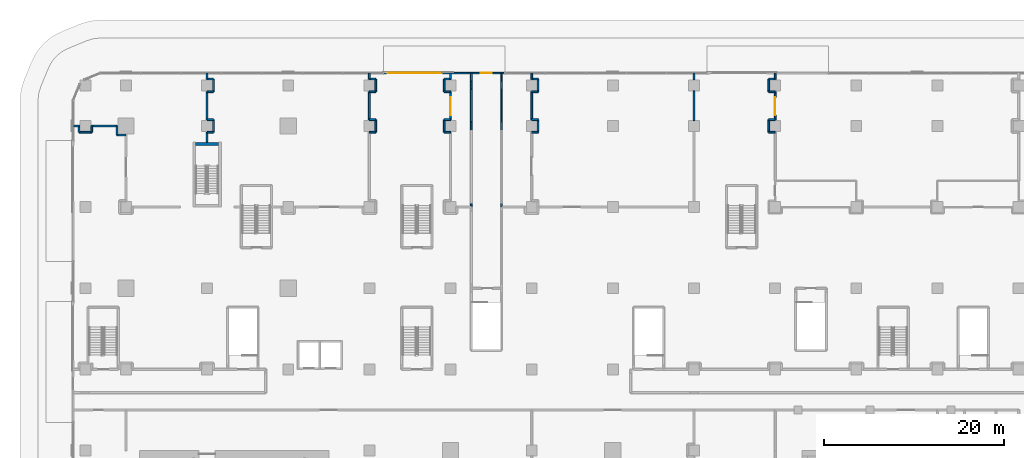
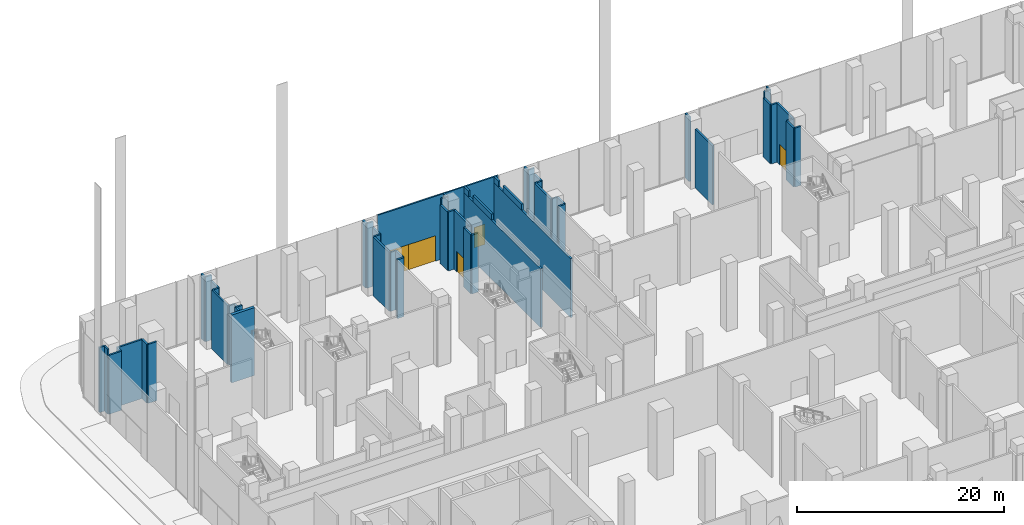
# One storey, part 26 of 42: 58 walls, 5 doors, 5 openings.
"""IFC4 building model written with IfcOpenShell, lengths in metres."""

from ifc_helpers import new_model, si_unit, direction, frame, frame_2d, origin, place, context, subcontext, project, spatial, rectangle, extrude, material, layer, layer_set, type_object, element, fill, save


model = new_model("IFC4")

# Units and contexts
model_context = context("Model", 3, precision=1e-05, world=origin(), true_north=direction((0.0, 1.0)))
body_context = subcontext(model_context, "Body", "Model", "MODEL_VIEW")
ifc_project = project(units=[si_unit("LENGTHUNIT", "METRE"), si_unit("AREAUNIT", "SQUARE_METRE"), si_unit("VOLUMEUNIT", "CUBIC_METRE"), si_unit("PLANEANGLEUNIT", "RADIAN"), si_unit("MASSUNIT", "GRAM", prefix="KILO")], contexts=[model_context])

# Site, building, storey
site_placement = place(None, origin())
site = spatial("IfcSite", under=ifc_project, at=site_placement, CompositionType="ELEMENT")
building_placement = place(site_placement, origin())
building = spatial("IfcBuilding", under=site, at=building_placement, Name="Plateau Cross Towers", CompositionType="ELEMENT")
storey_placement = place(building_placement, origin())
storey = spatial("IfcBuildingStorey", under=building, at=storey_placement, Name="L00", CompositionType="ELEMENT", Elevation=0.0)

# Wall, openings, doors
ifc_material_1 = material(Name="Aluminium framed glazing", Category="aluminium")
ifc_layer_1 = layer(ifc_material_1, 0.159912109375)
ifc_layer_set_1 = layer_set([ifc_layer_1], Name="Aluminium framed glazing")
wall_type_1 = type_object("IfcWallType", Name="Entrance screen wall 160", PredefinedType="STANDARD", material=ifc_layer_set_1)
wall_1_placement = place(storey_placement, frame((28.5625, 59.85009765625, 0.0), z_axis=(0.0, 0.0, 1.0), x_axis=(1.0, 0.0, 0.0)))
wall_1 = element("IfcWall", 1, at=wall_1_placement, inside=storey, type_object=wall_type_1, Name="Station station-N1 screen wall", PredefinedType="STANDARD", context=body_context, shape_type="SweptSolid", body=[
    extrude(rectangle(XDim=13.46240234375, YDim=0.159912109375, at=frame_2d((6.731201171875, 0.0))), origin(), (0.0, 0.0, 1.0), 7.64990234375),
])
opening_1_placement = place(wall_1_placement, frame((0.481201171875, 0.0, 0.0)))
opening_1 = element("IfcOpeningElement", 2, at=opening_1_placement, cuts=wall_1, Name="Opening XD3", PredefinedType="OPENING", context=body_context, shape_type="SweptSolid", body=[
    extrude(rectangle(XDim=3.0, YDim=3.0, at=frame_2d((1.5, 1.5))), frame((0.0, 0.08984375, 0.0), z_axis=(0.0, -1.0, 0.0), x_axis=(1.0, 0.0, 0.0)), (0.0, 0.0, 1.0), 0.179931640625),
])
opening_2_placement = place(wall_1_placement, frame((3.481201171875, 0.0, 0.0)))
opening_2 = element("IfcOpeningElement", 3, at=opening_2_placement, cuts=wall_1, Name="Opening XD3", PredefinedType="OPENING", context=body_context, shape_type="SweptSolid", body=[
    extrude(rectangle(XDim=3.0, YDim=3.0, at=frame_2d((1.5, 1.5))), frame((0.0, 0.08984375, 0.0), z_axis=(0.0, -1.0, 0.0), x_axis=(1.0, 0.0, 0.0)), (0.0, 0.0, 1.0), 0.179931640625),
])
opening_3_placement = place(wall_1_placement, frame((10.8125, 0.0, 0.0)))
opening_3 = element("IfcOpeningElement", 4, at=opening_3_placement, cuts=wall_1, Name="Opening XD4", PredefinedType="OPENING", context=body_context, shape_type="SweptSolid", body=[
    extrude(rectangle(XDim=1.199951171875, YDim=2.39990234375, at=frame_2d((0.60009765625, 1.199951171875))), frame((0.0, 0.08984375, 0.0), z_axis=(0.0, -1.0, 0.0), x_axis=(1.0, 0.0, 0.0)), (0.0, 0.0, 1.0), 0.179931640625),
])
ifc_material_2 = material(Name="Steel S355", Category="steel")
door_type_1 = type_object("IfcDoorType", Name="Service door single leaf 1200x2400", OperationType="SINGLE_SWING_LEFT", PredefinedType="DOOR", material=ifc_material_2)
door_1_placement = place(opening_3_placement, origin())
door_1 = element("IfcDoor", 5, at=door_1_placement, inside=storey, type_object=door_type_1, Name="Exit door XP-N", OperationType="SINGLE_SWING_LEFT", OverallHeight=2.39990234375, OverallWidth=1.199951171875, PredefinedType="DOOR", context=body_context, shape_type="SweptSolid", body=[
    extrude(rectangle(XDim=1.199951171875, YDim=2.39990234375, at=frame_2d((0.60009765625, 1.199951171875))), frame((0.0, 0.02490234375, 0.0), z_axis=(0.0, -1.0, 0.0), x_axis=(1.0, 0.0, 0.0)), (0.0, 0.0, 1.0), 0.050048828125),
])
fill(opening_3, door_1)
door_type_2 = type_object("IfcDoorType", Name="Station entrance sliding door 3000x3000", OperationType="SLIDING_TO_LEFT", PredefinedType="DOOR", material=ifc_material_1)
door_2_placement = place(opening_1_placement, origin())
door_2 = element("IfcDoor", 6, at=door_2_placement, inside=storey, type_object=door_type_2, Name="Station station-N1 door 1", OperationType="SINGLE_SWING_LEFT", OverallHeight=3.0, OverallWidth=3.0, PredefinedType="DOOR", context=body_context, shape_type="SweptSolid", body=[
    extrude(rectangle(XDim=3.0, YDim=3.0, at=frame_2d((1.5, 1.5))), frame((0.0, 0.02490234375, 0.0), z_axis=(0.0, -1.0, 0.0), x_axis=(1.0, 0.0, 0.0)), (0.0, 0.0, 1.0), 0.050048828125),
])
fill(opening_1, door_2)
door_3_placement = place(opening_2_placement, origin())
door_3 = element("IfcDoor", 7, at=door_3_placement, inside=storey, type_object=door_type_2, Name="Station station-N1 door 2", OperationType="SINGLE_SWING_LEFT", OverallHeight=3.0, OverallWidth=3.0, PredefinedType="DOOR", context=body_context, shape_type="SweptSolid", body=[
    extrude(rectangle(XDim=3.0, YDim=3.0, at=frame_2d((1.5, 1.5))), frame((0.0, 0.02490234375, 0.0), z_axis=(0.0, -1.0, 0.0), x_axis=(1.0, 0.0, 0.0)), (0.0, 0.0, 1.0), 0.050048828125),
])
fill(opening_2, door_3)

# Walls
ifc_material_3 = material(Name="Gypsum board on steel studs", Category="steel")
ifc_layer_2 = layer(ifc_material_3, 0.199951171875)
ifc_layer_set_2 = layer_set([ifc_layer_2], Name="Gypsum board on steel studs")
wall_type_2 = type_object("IfcWallType", Name="Podium partition 200", PredefinedType="PARTITIONING", material=ifc_layer_set_2)
wall_2_placement = place(storey_placement, frame((27.0, 53.300048828125, 0.0), z_axis=(0.0, 0.0, 1.0), x_axis=(1.0, 0.0, 0.0)))
element("IfcWall", 8, at=wall_2_placement, inside=storey, type_object=wall_type_2, Name="Partition wall", PredefinedType="PARTITIONING", context=body_context, shape_type="SweptSolid", body=[
    extrude(rectangle(XDim=0.699951171875, YDim=0.199951171875, at=frame_2d((0.35009765625, 0.0))), origin(), (0.0, 0.0, 1.0), 6.949951171875),
])
wall_3_placement = place(storey_placement, frame((27.699951171875, 53.300048828125, 0.0), z_axis=(0.0, 0.0, 1.0), x_axis=(0.0, 1.0, 0.0)))
element("IfcWall", 9, at=wall_3_placement, inside=storey, type_object=wall_type_2, Name="Partition wall", PredefinedType="PARTITIONING", context=body_context, shape_type="SweptSolid", body=[
    extrude(rectangle(XDim=1.39990234375, YDim=0.199951171875, at=frame_2d((0.699951171875, 0.0))), origin(), (0.0, 0.0, 1.0), 6.949951171875),
])
wall_4_placement = place(storey_placement, frame((27.699951171875, 54.699951171875, 0.0), z_axis=(0.0, 0.0, 1.0), x_axis=(-1.0, 0.0, 0.0)))
element("IfcWall", 10, at=wall_4_placement, inside=storey, type_object=wall_type_2, Name="Partition wall", PredefinedType="PARTITIONING", context=body_context, shape_type="SweptSolid", body=[
    extrude(rectangle(XDim=0.699951171875, YDim=0.199951171875, at=frame_2d((0.35009765625, 0.0))), origin(), (0.0, 0.0, 1.0), 6.949951171875),
])
wall_5_placement = place(storey_placement, frame((27.0, 54.699951171875, 0.0), z_axis=(0.0, 0.0, 1.0), x_axis=(0.0, 1.0, 0.0)))
element("IfcWall", 11, at=wall_5_placement, inside=storey, type_object=wall_type_2, Name="Partition wall", PredefinedType="PARTITIONING", context=body_context, shape_type="SweptSolid", body=[
    extrude(rectangle(XDim=3.10009765625, YDim=0.199951171875, at=frame_2d((1.550048828125, 0.0))), origin(), (0.0, 0.0, 1.0), 6.949951171875),
])
wall_6_placement = place(storey_placement, frame((27.0, 57.800048828125, 0.0), z_axis=(0.0, 0.0, 1.0), x_axis=(1.0, 0.0, 0.0)))
element("IfcWall", 12, at=wall_6_placement, inside=storey, type_object=wall_type_2, Name="Partition wall", PredefinedType="PARTITIONING", context=body_context, shape_type="SweptSolid", body=[
    extrude(rectangle(XDim=0.699951171875, YDim=0.199951171875, at=frame_2d((0.35009765625, 0.0))), origin(), (0.0, 0.0, 1.0), 6.949951171875),
])
wall_7_placement = place(storey_placement, frame((27.699951171875, 57.800048828125, 0.0), z_axis=(0.0, 0.0, 1.0), x_axis=(0.0, 1.0, 0.0)))
element("IfcWall", 13, at=wall_7_placement, inside=storey, type_object=wall_type_2, Name="Partition wall", PredefinedType="PARTITIONING", context=body_context, shape_type="SweptSolid", body=[
    extrude(rectangle(XDim=1.39990234375, YDim=0.199951171875, at=frame_2d((0.699951171875, 0.0))), origin(), (0.0, 0.0, 1.0), 6.949951171875),
])
wall_8_placement = place(storey_placement, frame((27.699951171875, 59.199951171875, 0.0), z_axis=(0.0, 0.0, 1.0), x_axis=(-1.0, 0.0, 0.0)))
element("IfcWall", 14, at=wall_8_placement, inside=storey, type_object=wall_type_2, Name="Partition wall", PredefinedType="PARTITIONING", context=body_context, shape_type="SweptSolid", body=[
    extrude(rectangle(XDim=0.699951171875, YDim=0.199951171875, at=frame_2d((0.35009765625, 0.0))), origin(), (0.0, 0.0, 1.0), 7.64990234375),
])
wall_9_placement = place(storey_placement, frame((27.0, 59.199951171875, 0.0), z_axis=(0.0, 0.0, 1.0), x_axis=(0.0, 1.0, 0.0)))
element("IfcWall", 15, at=wall_9_placement, inside=storey, type_object=wall_type_2, Name="Partition wall", PredefinedType="PARTITIONING", context=body_context, shape_type="SweptSolid", body=[
    extrude(rectangle(XDim=0.650146484375, YDim=0.199951171875, at=frame_2d((0.3251953125, 0.0))), origin(), (0.0, 0.0, 1.0), 7.64990234375),
])
wall_10_placement = place(storey_placement, frame((63.0, 54.60009765625, 0.0), z_axis=(0.0, 0.0, 1.0), x_axis=(0.0, 1.0, 0.0)))
element("IfcWall", 16, at=wall_10_placement, inside=storey, type_object=wall_type_2, Name="Partition wall", PredefinedType="PARTITIONING", context=body_context, shape_type="SweptSolid", body=[
    extrude(rectangle(XDim=3.2998046875, YDim=0.199951171875, at=frame_2d((1.64990234375, 0.0))), origin(), (0.0, 0.0, 1.0), 6.949951171875),
])
wall_11_placement = place(storey_placement, frame((63.0, 59.10009765625, 0.0), z_axis=(0.0, 0.0, 1.0), x_axis=(0.0, 1.0, 0.0)))
element("IfcWall", 17, at=wall_11_placement, inside=storey, type_object=wall_type_2, Name="Partition wall", PredefinedType="PARTITIONING", context=body_context, shape_type="SweptSolid", body=[
    extrude(rectangle(XDim=0.75, YDim=0.199951171875, at=frame_2d((0.375, 0.0))), origin(), (0.0, 0.0, 1.0), 7.64990234375),
])
wall_12_placement = place(storey_placement, frame((36.0, 59.85009765625, 0.0), z_axis=(0.0, 0.0, 1.0), x_axis=(0.0, -1.0, 0.0)))
element("IfcWall", 18, at=wall_12_placement, inside=storey, type_object=wall_type_2, Name="Partition wall", PredefinedType="PARTITIONING", context=body_context, shape_type="SweptSolid", body=[
    extrude(rectangle(XDim=0.650146484375, YDim=0.199951171875, at=frame_2d((0.3251953125, 0.0))), origin(), (0.0, 0.0, 1.0), 7.64990234375),
])
wall_13_placement = place(storey_placement, frame((36.0, 59.199951171875, 0.0), z_axis=(0.0, 0.0, 1.0), x_axis=(-1.0, 0.0, 0.0)))
element("IfcWall", 19, at=wall_13_placement, inside=storey, type_object=wall_type_2, Name="Partition wall", PredefinedType="PARTITIONING", context=body_context, shape_type="SweptSolid", body=[
    extrude(rectangle(XDim=0.699951171875, YDim=0.199951171875, at=frame_2d((0.35009765625, 0.0))), origin(), (0.0, 0.0, 1.0), 7.64990234375),
])
wall_14_placement = place(storey_placement, frame((35.300048828125, 59.199951171875, 0.0), z_axis=(0.0, 0.0, 1.0), x_axis=(0.0, -1.0, 0.0)))
element("IfcWall", 20, at=wall_14_placement, inside=storey, type_object=wall_type_2, Name="Partition wall", PredefinedType="PARTITIONING", context=body_context, shape_type="SweptSolid", body=[
    extrude(rectangle(XDim=1.39990234375, YDim=0.199951171875, at=frame_2d((0.699951171875, 0.0))), origin(), (0.0, 0.0, 1.0), 6.949951171875),
])
wall_15_placement = place(storey_placement, frame((35.300048828125, 57.800048828125, 0.0), z_axis=(0.0, 0.0, 1.0), x_axis=(1.0, 0.0, 0.0)))
element("IfcWall", 21, at=wall_15_placement, inside=storey, type_object=wall_type_2, Name="Partition wall", PredefinedType="PARTITIONING", context=body_context, shape_type="SweptSolid", body=[
    extrude(rectangle(XDim=0.699951171875, YDim=0.199951171875, at=frame_2d((0.35009765625, 0.0))), origin(), (0.0, 0.0, 1.0), 6.949951171875),
])

# Wall, opening, door
wall_16_placement = place(storey_placement, frame((36.0, 57.800048828125, 0.0), z_axis=(0.0, 0.0, 1.0), x_axis=(0.0, -1.0, 0.0)))
wall_16 = element("IfcWall", 22, at=wall_16_placement, inside=storey, type_object=wall_type_2, Name="Partition wall", PredefinedType="PARTITIONING", context=body_context, shape_type="SweptSolid", body=[
    extrude(rectangle(XDim=3.10009765625, YDim=0.199951171875, at=frame_2d((1.550048828125, 0.0))), origin(), (0.0, 0.0, 1.0), 6.949951171875),
])
opening_4_placement = place(wall_16_placement, frame((0.60009765625, 0.0, 0.0)))
opening_4 = element("IfcOpeningElement", 23, at=opening_4_placement, cuts=wall_16, Name="Opening 00-27", PredefinedType="OPENING", context=body_context, shape_type="SweptSolid", body=[
    extrude(rectangle(XDim=2.0, YDim=2.39990234375, at=frame_2d((1.0, 1.199951171875))), frame((0.0, 0.10986328125, 0.0), z_axis=(0.0, -1.0, 0.0), x_axis=(1.0, 0.0, 0.0)), (0.0, 0.0, 1.0), 0.219970703125),
])
ifc_material_4 = material(Name="Aluminium frame, toughened glass", Category="aluminium")
door_type_3 = type_object("IfcDoorType", Name="Shop entrance double door 2000x2400", OperationType="NOTDEFINED", PredefinedType="DOOR", material=ifc_material_4)
door_4_placement = place(opening_4_placement, origin())
door_4 = element("IfcDoor", 24, at=door_4_placement, inside=storey, type_object=door_type_3, Name="Door 00-27", OperationType="SINGLE_SWING_LEFT", OverallHeight=2.39990234375, OverallWidth=2.0, PredefinedType="DOOR", context=body_context, shape_type="SweptSolid", body=[
    extrude(rectangle(XDim=2.0, YDim=2.39990234375, at=frame_2d((1.0, 1.199951171875))), frame((0.0, 0.02490234375, 0.0), z_axis=(0.0, -1.0, 0.0), x_axis=(1.0, 0.0, 0.0)), (0.0, 0.0, 1.0), 0.050048828125),
])
fill(opening_4, door_4)

# Walls
wall_17_placement = place(storey_placement, frame((36.0, 54.699951171875, 0.0), z_axis=(0.0, 0.0, 1.0), x_axis=(-1.0, 0.0, 0.0)))
element("IfcWall", 25, at=wall_17_placement, inside=storey, type_object=wall_type_2, Name="Partition wall", PredefinedType="PARTITIONING", context=body_context, shape_type="SweptSolid", body=[
    extrude(rectangle(XDim=0.699951171875, YDim=0.199951171875, at=frame_2d((0.35009765625, 0.0))), origin(), (0.0, 0.0, 1.0), 6.949951171875),
])
wall_18_placement = place(storey_placement, frame((35.300048828125, 54.699951171875, 0.0), z_axis=(0.0, 0.0, 1.0), x_axis=(0.0, -1.0, 0.0)))
element("IfcWall", 26, at=wall_18_placement, inside=storey, type_object=wall_type_2, Name="Partition wall", PredefinedType="PARTITIONING", context=body_context, shape_type="SweptSolid", body=[
    extrude(rectangle(XDim=1.39990234375, YDim=0.199951171875, at=frame_2d((0.699951171875, 0.0))), origin(), (0.0, 0.0, 1.0), 6.949951171875),
])
for number, where, z_axis, x_axis, name in (
    (27, (35.300048828125, 53.300048828125, 0.0), (0.0, 0.0, 1.0), (1.0, 0.0, 0.0), "Partition wall"),
    (28, (-3.800048828125, 53.300048828125, 0.0), (0.0, 0.0, 1.0), (0.0, 1.0, 0.0), "Partition wall"),
):
    element("IfcWall", number, at=place(storey_placement, frame(where, z_axis=z_axis, x_axis=x_axis)), inside=storey, type_object=wall_type_2, Name=name, PredefinedType="PARTITIONING", context=body_context, shape_type="SweptSolid", body=[
        extrude(rectangle(XDim=0.699951171875, YDim=0.199951171875, at=frame_2d((0.35009765625, 0.0))), origin(), (0.0, 0.0, 1.0), 6.949951171875),
    ])
wall_19_placement = place(storey_placement, frame((-3.800048828125, 54.0, 0.0), z_axis=(0.0, 0.0, 1.0), x_axis=(1.0, 0.0, 0.0)))
element("IfcWall", 29, at=wall_19_placement, inside=storey, type_object=wall_type_2, Name="Partition wall", PredefinedType="PARTITIONING", context=body_context, shape_type="SweptSolid", body=[
    extrude(rectangle(XDim=2.800048828125, YDim=0.199951171875, at=frame_2d((1.39990234375, 0.0))), origin(), (0.0, 0.0, 1.0), 6.949951171875),
])
for number, where, z_axis, x_axis, name in (
    (30, (-1.0, 54.0, 0.0), (0.0, 0.0, 1.0), (0.0, -1.0, 0.0), "Partition wall"),
    (31, (-1.0, 53.0, 0.0), (0.0, 0.0, 1.0), (1.0, 0.0, 0.0), "Partition wall"),
):
    element("IfcWall", number, at=place(storey_placement, frame(where, z_axis=z_axis, x_axis=x_axis)), inside=storey, type_object=wall_type_2, Name=name, PredefinedType="PARTITIONING", context=body_context, shape_type="SweptSolid", body=[
        extrude(rectangle(XDim=1.0, YDim=0.199951171875, at=frame_2d((0.5, 0.0))), origin(), (0.0, 0.0, 1.0), 6.949951171875),
    ])
wall_20_placement = place(storey_placement, frame((45.0, 53.300048828125, 0.0), z_axis=(0.0, 0.0, 1.0), x_axis=(1.0, 0.0, 0.0)))
element("IfcWall", 32, at=wall_20_placement, inside=storey, type_object=wall_type_2, Name="Partition wall", PredefinedType="PARTITIONING", context=body_context, shape_type="SweptSolid", body=[
    extrude(rectangle(XDim=0.699951171875, YDim=0.199951171875, at=frame_2d((0.35009765625, 0.0))), origin(), (0.0, 0.0, 1.0), 6.949951171875),
])
wall_21_placement = place(storey_placement, frame((45.699951171875, 53.300048828125, 0.0), z_axis=(0.0, 0.0, 1.0), x_axis=(0.0, 1.0, 0.0)))
element("IfcWall", 33, at=wall_21_placement, inside=storey, type_object=wall_type_2, Name="Partition wall", PredefinedType="PARTITIONING", context=body_context, shape_type="SweptSolid", body=[
    extrude(rectangle(XDim=1.39990234375, YDim=0.199951171875, at=frame_2d((0.699951171875, 0.0))), origin(), (0.0, 0.0, 1.0), 6.949951171875),
])
wall_22_placement = place(storey_placement, frame((45.699951171875, 54.699951171875, 0.0), z_axis=(0.0, 0.0, 1.0), x_axis=(-1.0, 0.0, 0.0)))
element("IfcWall", 34, at=wall_22_placement, inside=storey, type_object=wall_type_2, Name="Partition wall", PredefinedType="PARTITIONING", context=body_context, shape_type="SweptSolid", body=[
    extrude(rectangle(XDim=0.699951171875, YDim=0.199951171875, at=frame_2d((0.35009765625, 0.0))), origin(), (0.0, 0.0, 1.0), 6.949951171875),
])
wall_23_placement = place(storey_placement, frame((45.0, 54.699951171875, 0.0), z_axis=(0.0, 0.0, 1.0), x_axis=(0.0, 1.0, 0.0)))
element("IfcWall", 35, at=wall_23_placement, inside=storey, type_object=wall_type_2, Name="Partition wall", PredefinedType="PARTITIONING", context=body_context, shape_type="SweptSolid", body=[
    extrude(rectangle(XDim=3.10009765625, YDim=0.199951171875, at=frame_2d((1.550048828125, 0.0))), origin(), (0.0, 0.0, 1.0), 6.949951171875),
])
wall_24_placement = place(storey_placement, frame((45.0, 57.800048828125, 0.0), z_axis=(0.0, 0.0, 1.0), x_axis=(1.0, 0.0, 0.0)))
element("IfcWall", 36, at=wall_24_placement, inside=storey, type_object=wall_type_2, Name="Partition wall", PredefinedType="PARTITIONING", context=body_context, shape_type="SweptSolid", body=[
    extrude(rectangle(XDim=0.699951171875, YDim=0.199951171875, at=frame_2d((0.35009765625, 0.0))), origin(), (0.0, 0.0, 1.0), 6.949951171875),
])
wall_25_placement = place(storey_placement, frame((45.699951171875, 57.800048828125, 0.0), z_axis=(0.0, 0.0, 1.0), x_axis=(0.0, 1.0, 0.0)))
element("IfcWall", 37, at=wall_25_placement, inside=storey, type_object=wall_type_2, Name="Partition wall", PredefinedType="PARTITIONING", context=body_context, shape_type="SweptSolid", body=[
    extrude(rectangle(XDim=1.39990234375, YDim=0.199951171875, at=frame_2d((0.699951171875, 0.0))), origin(), (0.0, 0.0, 1.0), 6.949951171875),
])
wall_26_placement = place(storey_placement, frame((45.699951171875, 59.199951171875, 0.0), z_axis=(0.0, 0.0, 1.0), x_axis=(-1.0, 0.0, 0.0)))
element("IfcWall", 38, at=wall_26_placement, inside=storey, type_object=wall_type_2, Name="Partition wall", PredefinedType="PARTITIONING", context=body_context, shape_type="SweptSolid", body=[
    extrude(rectangle(XDim=0.699951171875, YDim=0.199951171875, at=frame_2d((0.35009765625, 0.0))), origin(), (0.0, 0.0, 1.0), 7.64990234375),
])
for number, where, z_axis, x_axis, name in (
    (39, (45.0, 59.199951171875, 0.0), (0.0, 0.0, 1.0), (0.0, 1.0, 0.0), "Partition wall"),
    (40, (72.0, 59.85009765625, 0.0), (0.0, 0.0, 1.0), (0.0, -1.0, 0.0), "Partition wall"),
):
    element("IfcWall", number, at=place(storey_placement, frame(where, z_axis=z_axis, x_axis=x_axis)), inside=storey, type_object=wall_type_2, Name=name, PredefinedType="PARTITIONING", context=body_context, shape_type="SweptSolid", body=[
        extrude(rectangle(XDim=0.650146484375, YDim=0.199951171875, at=frame_2d((0.3251953125, 0.0))), origin(), (0.0, 0.0, 1.0), 7.64990234375),
    ])
wall_27_placement = place(storey_placement, frame((72.0, 59.199951171875, 0.0), z_axis=(0.0, 0.0, 1.0), x_axis=(-1.0, 0.0, 0.0)))
element("IfcWall", 41, at=wall_27_placement, inside=storey, type_object=wall_type_2, Name="Partition wall", PredefinedType="PARTITIONING", context=body_context, shape_type="SweptSolid", body=[
    extrude(rectangle(XDim=0.699951171875, YDim=0.199951171875, at=frame_2d((0.35009765625, 0.0))), origin(), (0.0, 0.0, 1.0), 7.64990234375),
])
wall_28_placement = place(storey_placement, frame((71.300048828125, 59.199951171875, 0.0), z_axis=(0.0, 0.0, 1.0), x_axis=(0.0, -1.0, 0.0)))
element("IfcWall", 42, at=wall_28_placement, inside=storey, type_object=wall_type_2, Name="Partition wall", PredefinedType="PARTITIONING", context=body_context, shape_type="SweptSolid", body=[
    extrude(rectangle(XDim=1.39990234375, YDim=0.199951171875, at=frame_2d((0.699951171875, 0.0))), origin(), (0.0, 0.0, 1.0), 6.949951171875),
])
wall_29_placement = place(storey_placement, frame((71.300048828125, 57.800048828125, 0.0), z_axis=(0.0, 0.0, 1.0), x_axis=(1.0, 0.0, 0.0)))
element("IfcWall", 43, at=wall_29_placement, inside=storey, type_object=wall_type_2, Name="Partition wall", PredefinedType="PARTITIONING", context=body_context, shape_type="SweptSolid", body=[
    extrude(rectangle(XDim=0.699951171875, YDim=0.199951171875, at=frame_2d((0.35009765625, 0.0))), origin(), (0.0, 0.0, 1.0), 6.949951171875),
])

# Wall, opening, door
wall_30_placement = place(storey_placement, frame((72.0, 57.800048828125, 0.0), z_axis=(0.0, 0.0, 1.0), x_axis=(0.0, -1.0, 0.0)))
wall_30 = element("IfcWall", 44, at=wall_30_placement, inside=storey, type_object=wall_type_2, Name="Partition wall", PredefinedType="PARTITIONING", context=body_context, shape_type="SweptSolid", body=[
    extrude(rectangle(XDim=3.10009765625, YDim=0.199951171875, at=frame_2d((1.550048828125, 0.0))), origin(), (0.0, 0.0, 1.0), 6.949951171875),
])
opening_5_placement = place(wall_30_placement, frame((0.60009765625, 0.0, 0.0)))
opening_5 = element("IfcOpeningElement", 45, at=opening_5_placement, cuts=wall_30, Name="Opening 00-29", PredefinedType="OPENING", context=body_context, shape_type="SweptSolid", body=[
    extrude(rectangle(XDim=2.0, YDim=2.39990234375, at=frame_2d((1.0, 1.199951171875))), frame((0.0, 0.10986328125, 0.0), z_axis=(0.0, -1.0, 0.0), x_axis=(1.0, 0.0, 0.0)), (0.0, 0.0, 1.0), 0.219970703125),
])
door_5_placement = place(opening_5_placement, origin())
door_5 = element("IfcDoor", 46, at=door_5_placement, inside=storey, type_object=door_type_3, Name="Door 00-29", OperationType="SINGLE_SWING_LEFT", OverallHeight=2.39990234375, OverallWidth=2.0, PredefinedType="DOOR", context=body_context, shape_type="SweptSolid", body=[
    extrude(rectangle(XDim=2.0, YDim=2.39990234375, at=frame_2d((1.0, 1.199951171875))), frame((0.0, 0.02490234375, 0.0), z_axis=(0.0, -1.0, 0.0), x_axis=(1.0, 0.0, 0.0)), (0.0, 0.0, 1.0), 0.050048828125),
])
fill(opening_5, door_5)

# Walls
wall_31_placement = place(storey_placement, frame((72.0, 54.699951171875, 0.0), z_axis=(0.0, 0.0, 1.0), x_axis=(-1.0, 0.0, 0.0)))
element("IfcWall", 47, at=wall_31_placement, inside=storey, type_object=wall_type_2, Name="Partition wall", PredefinedType="PARTITIONING", context=body_context, shape_type="SweptSolid", body=[
    extrude(rectangle(XDim=0.699951171875, YDim=0.199951171875, at=frame_2d((0.35009765625, 0.0))), origin(), (0.0, 0.0, 1.0), 6.949951171875),
])
wall_32_placement = place(storey_placement, frame((71.300048828125, 54.699951171875, 0.0), z_axis=(0.0, 0.0, 1.0), x_axis=(0.0, -1.0, 0.0)))
element("IfcWall", 48, at=wall_32_placement, inside=storey, type_object=wall_type_2, Name="Partition wall", PredefinedType="PARTITIONING", context=body_context, shape_type="SweptSolid", body=[
    extrude(rectangle(XDim=1.39990234375, YDim=0.199951171875, at=frame_2d((0.699951171875, 0.0))), origin(), (0.0, 0.0, 1.0), 6.949951171875),
])
wall_33_placement = place(storey_placement, frame((71.300048828125, 53.300048828125, 0.0), z_axis=(0.0, 0.0, 1.0), x_axis=(1.0, 0.0, 0.0)))
element("IfcWall", 49, at=wall_33_placement, inside=storey, type_object=wall_type_2, Name="Partition wall", PredefinedType="PARTITIONING", context=body_context, shape_type="SweptSolid", body=[
    extrude(rectangle(XDim=0.699951171875, YDim=0.199951171875, at=frame_2d((0.35009765625, 0.0))), origin(), (0.0, 0.0, 1.0), 6.949951171875),
])
wall_34_placement = place(storey_placement, frame((9.0, 59.85009765625, 0.0), z_axis=(0.0, 0.0, 1.0), x_axis=(0.0, -1.0, 0.0)))
element("IfcWall", 50, at=wall_34_placement, inside=storey, type_object=wall_type_2, Name="Partition wall", PredefinedType="PARTITIONING", context=body_context, shape_type="SweptSolid", body=[
    extrude(rectangle(XDim=0.650146484375, YDim=0.199951171875, at=frame_2d((0.3251953125, 0.0))), origin(), (0.0, 0.0, 1.0), 7.64990234375),
])
wall_35_placement = place(storey_placement, frame((9.0, 59.199951171875, 0.0), z_axis=(0.0, 0.0, 1.0), x_axis=(1.0, 0.0, 0.0)))
element("IfcWall", 51, at=wall_35_placement, inside=storey, type_object=wall_type_2, Name="Partition wall", PredefinedType="PARTITIONING", context=body_context, shape_type="SweptSolid", body=[
    extrude(rectangle(XDim=0.699951171875, YDim=0.199951171875, at=frame_2d((0.35009765625, 0.0))), origin(), (0.0, 0.0, 1.0), 7.64990234375),
])
wall_36_placement = place(storey_placement, frame((9.699951171875, 59.199951171875, 0.0), z_axis=(0.0, 0.0, 1.0), x_axis=(0.0, -1.0, 0.0)))
element("IfcWall", 52, at=wall_36_placement, inside=storey, type_object=wall_type_2, Name="Partition wall", PredefinedType="PARTITIONING", context=body_context, shape_type="SweptSolid", body=[
    extrude(rectangle(XDim=1.39990234375, YDim=0.199951171875, at=frame_2d((0.699951171875, 0.0))), origin(), (0.0, 0.0, 1.0), 6.949951171875),
])
wall_37_placement = place(storey_placement, frame((9.699951171875, 57.800048828125, 0.0), z_axis=(0.0, 0.0, 1.0), x_axis=(-1.0, 0.0, 0.0)))
element("IfcWall", 53, at=wall_37_placement, inside=storey, type_object=wall_type_2, Name="Partition wall", PredefinedType="PARTITIONING", context=body_context, shape_type="SweptSolid", body=[
    extrude(rectangle(XDim=0.699951171875, YDim=0.199951171875, at=frame_2d((0.35009765625, 0.0))), origin(), (0.0, 0.0, 1.0), 6.949951171875),
])
wall_38_placement = place(storey_placement, frame((9.0, 57.800048828125, 0.0), z_axis=(0.0, 0.0, 1.0), x_axis=(0.0, -1.0, 0.0)))
element("IfcWall", 54, at=wall_38_placement, inside=storey, type_object=wall_type_2, Name="Partition wall", PredefinedType="PARTITIONING", context=body_context, shape_type="SweptSolid", body=[
    extrude(rectangle(XDim=3.10009765625, YDim=0.199951171875, at=frame_2d((1.550048828125, 0.0))), origin(), (0.0, 0.0, 1.0), 6.949951171875),
])
wall_39_placement = place(storey_placement, frame((9.0, 54.699951171875, 0.0), z_axis=(0.0, 0.0, 1.0), x_axis=(1.0, 0.0, 0.0)))
element("IfcWall", 55, at=wall_39_placement, inside=storey, type_object=wall_type_2, Name="Partition wall", PredefinedType="PARTITIONING", context=body_context, shape_type="SweptSolid", body=[
    extrude(rectangle(XDim=0.699951171875, YDim=0.199951171875, at=frame_2d((0.35009765625, 0.0))), origin(), (0.0, 0.0, 1.0), 6.949951171875),
])
wall_40_placement = place(storey_placement, frame((9.699951171875, 54.699951171875, 0.0), z_axis=(0.0, 0.0, 1.0), x_axis=(0.0, -1.0, 0.0)))
element("IfcWall", 56, at=wall_40_placement, inside=storey, type_object=wall_type_2, Name="Partition wall", PredefinedType="PARTITIONING", context=body_context, shape_type="SweptSolid", body=[
    extrude(rectangle(XDim=1.39990234375, YDim=0.199951171875, at=frame_2d((0.699951171875, 0.0))), origin(), (0.0, 0.0, 1.0), 6.949951171875),
])
wall_41_placement = place(storey_placement, frame((9.699951171875, 53.300048828125, 0.0), z_axis=(0.0, 0.0, 1.0), x_axis=(-1.0, 0.0, 0.0)))
element("IfcWall", 57, at=wall_41_placement, inside=storey, type_object=wall_type_2, Name="Partition wall", PredefinedType="PARTITIONING", context=body_context, shape_type="SweptSolid", body=[
    extrude(rectangle(XDim=0.699951171875, YDim=0.199951171875, at=frame_2d((0.35009765625, 0.0))), origin(), (0.0, 0.0, 1.0), 7.64990234375),
])
wall_42_placement = place(storey_placement, frame((9.0, 53.300048828125, 0.0), z_axis=(0.0, 0.0, 1.0), x_axis=(0.0, -1.0, 0.0)))
element("IfcWall", 58, at=wall_42_placement, inside=storey, type_object=wall_type_2, Name="Partition wall", PredefinedType="PARTITIONING", context=body_context, shape_type="SweptSolid", body=[
    extrude(rectangle(XDim=1.10009765625, YDim=0.199951171875, at=frame_2d((0.550048828125, 0.0))), origin(), (0.0, 0.0, 1.0), 7.64990234375),
])
wall_43_placement = place(storey_placement, frame((-5.85009765625, 54.0, 0.0), z_axis=(0.0, 0.0, 1.0), x_axis=(1.0, 0.0, 0.0)))
element("IfcWall", 59, at=wall_43_placement, inside=storey, type_object=wall_type_2, Name="Partition wall", PredefinedType="PARTITIONING", context=body_context, shape_type="SweptSolid", body=[
    extrude(rectangle(XDim=0.650146484375, YDim=0.199951171875, at=frame_2d((0.3251953125, 0.0))), origin(), (0.0, 0.0, 1.0), 7.64990234375),
])
wall_44_placement = place(storey_placement, frame((-5.199951171875, 54.0, 0.0), z_axis=(0.0, 0.0, 1.0), x_axis=(0.0, -1.0, 0.0)))
element("IfcWall", 60, at=wall_44_placement, inside=storey, type_object=wall_type_2, Name="Partition wall", PredefinedType="PARTITIONING", context=body_context, shape_type="SweptSolid", body=[
    extrude(rectangle(XDim=0.699951171875, YDim=0.199951171875, at=frame_2d((0.35009765625, 0.0))), origin(), (0.0, 0.0, 1.0), 7.64990234375),
])
wall_45_placement = place(storey_placement, frame((-5.199951171875, 53.300048828125, 0.0), z_axis=(0.0, 0.0, 1.0), x_axis=(1.0, 0.0, 0.0)))
element("IfcWall", 61, at=wall_45_placement, inside=storey, type_object=wall_type_2, Name="Partition wall", PredefinedType="PARTITIONING", context=body_context, shape_type="SweptSolid", body=[
    extrude(rectangle(XDim=1.39990234375, YDim=0.199951171875, at=frame_2d((0.699951171875, 0.0))), origin(), (0.0, 0.0, 1.0), 6.949951171875),
])
ifc_material_5 = material(Name="Fire-rated plasterboard shaft wall system")
ifc_layer_3 = layer(ifc_material_5, 0.199951171875)
ifc_layer_set_3 = layer_set([ifc_layer_3], Name="Fire-rated plasterboard shaft wall system")
wall_type_3 = type_object("IfcWallType", Name="Podium stair shaft wall 200", PredefinedType="PARTITIONING", material=ifc_layer_set_3)
for number, where, z_axis, x_axis, name in (
    (62, (41.64990234375, 59.85009765625, 0.0), (0.0, 0.0, 1.0), (0.0, -1.0, 0.0), "Partition wall"),
    (63, (38.300048828125, 45.0, 0.0), (0.0, 0.0, 1.0), (0.0, 1.0, 0.0), "Partition wall"),
):
    element("IfcWall", number, at=place(storey_placement, frame(where, z_axis=z_axis, x_axis=x_axis)), inside=storey, type_object=wall_type_3, Name=name, PredefinedType="PARTITIONING", context=body_context, shape_type="SweptSolid", body=[
        extrude(rectangle(XDim=14.85009765625, YDim=0.199951171875, at=frame_2d((7.425048828125, 0.0))), origin(), (0.0, 0.0, 1.0), 6.949951171875),
    ])
wall_46_placement = place(storey_placement, frame((41.64990234375, 59.85009765625, 6.949951171875), z_axis=(0.0, 0.0, 1.0), x_axis=(0.0, -1.0, 0.0)))
element("IfcWall", 64, at=wall_46_placement, inside=storey, type_object=wall_type_3, Name="Partition wall head", PredefinedType="PARTITIONING", context=body_context, shape_type="SweptSolid", body=[
    extrude(rectangle(XDim=0.900146484375, YDim=0.199951171875, at=frame_2d((0.4501953125, 0.0))), origin(), (0.0, 0.0, 1.0), 0.699951171875),
])
for number, where, z_axis, x_axis, name in (
    (65, (41.64990234375, 58.050048828125, 6.949951171875), (0.0, 0.0, 1.0), (0.0, -1.0, 0.0), "Partition wall head"),
    (66, (38.300048828125, 54.449951171875, 6.949951171875), (0.0, 0.0, 1.0), (0.0, 1.0, 0.0), "Partition wall head"),
):
    element("IfcWall", number, at=place(storey_placement, frame(where, z_axis=z_axis, x_axis=x_axis)), inside=storey, type_object=wall_type_3, Name=name, PredefinedType="PARTITIONING", context=body_context, shape_type="SweptSolid", body=[
        extrude(rectangle(XDim=3.60009765625, YDim=0.199951171875, at=frame_2d((1.800048828125, 0.0))), origin(), (0.0, 0.0, 1.0), 0.699951171875),
    ])
wall_47_placement = place(storey_placement, frame((38.300048828125, 58.949951171875, 6.949951171875), z_axis=(0.0, 0.0, 1.0), x_axis=(0.0, 1.0, 0.0)))
element("IfcWall", 67, at=wall_47_placement, inside=storey, type_object=wall_type_3, Name="Partition wall head", PredefinedType="PARTITIONING", context=body_context, shape_type="SweptSolid", body=[
    extrude(rectangle(XDim=0.900146484375, YDim=0.199951171875, at=frame_2d((0.4501953125, 0.0))), origin(), (0.0, 0.0, 1.0), 0.699951171875),
])
ifc_material_6 = material(Name="Concrete C60/75", Category="concrete")
ifc_layer_4 = layer(ifc_material_6, 0.300048828125)
ifc_layer_set_4 = layer_set([ifc_layer_4], Name="Concrete C60/75")
wall_type_4 = type_object("IfcWallType", Name="Stair tower wall 300", PredefinedType="SHEAR", material=ifc_layer_set_4)
wall_48_placement = place(storey_placement, frame((7.72509765625, 52.0, 0.0), z_axis=(0.0, 0.0, 1.0), x_axis=(1.0, 0.0, 0.0)))
element("IfcWall", 68, at=wall_48_placement, inside=storey, type_object=wall_type_4, Name="A-end-N-N@L00", PredefinedType="SHEAR", context=body_context, shape_type="SweptSolid", body=[
    extrude(rectangle(XDim=2.5498046875, YDim=0.300048828125, at=frame_2d((1.27490234375, 0.0))), origin(), (0.0, 0.0, 1.0), 8.0),
])

save(model, "model.ifc")
